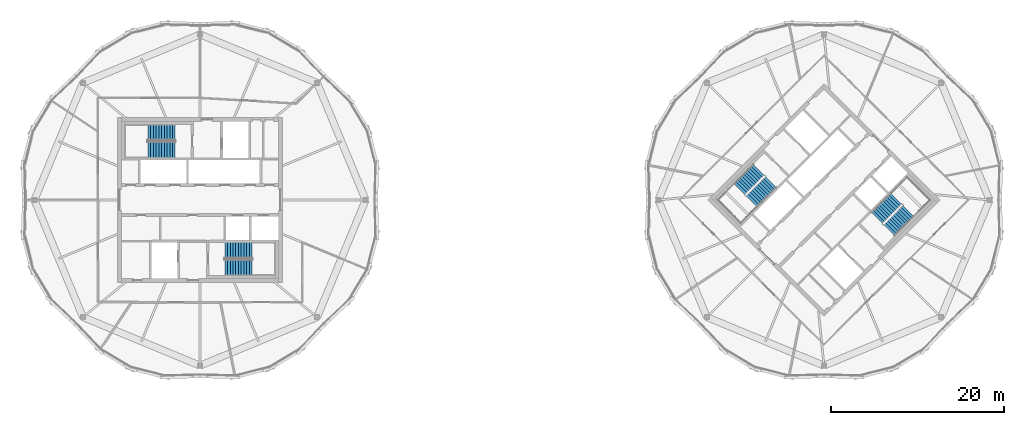
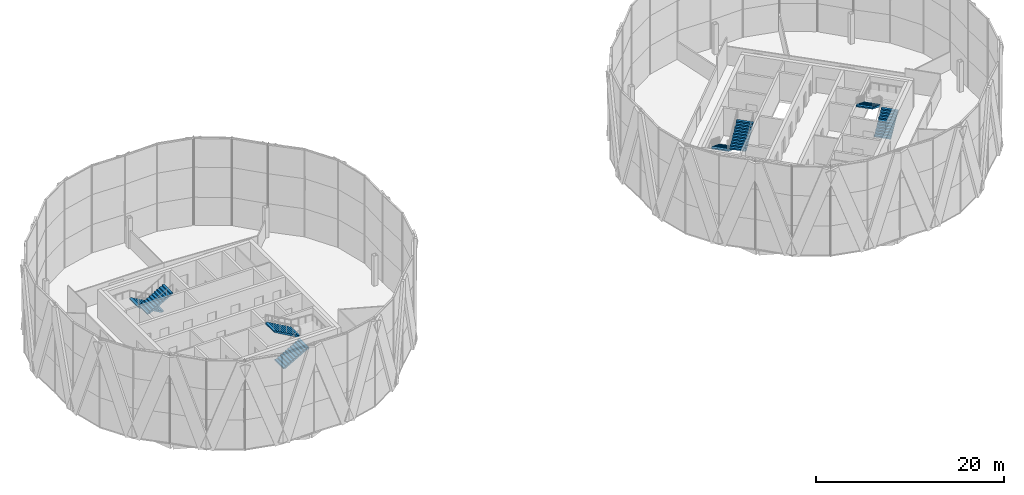
# One storey, part 20 of 22: 8 stair flights, 4 elements without a shape of their own.
"""IFC4 building model written with IfcOpenShell, lengths in metres."""

from ifc_helpers import new_model, si_unit, direction, frame, origin, place, context, subcontext, project, spatial, polyline, outline, extrude, material, type_object, element, aggregate, save


model = new_model("IFC4")

# Units and contexts
model_context = context("Model", 3, precision=1e-05, world=origin(), true_north=direction((0.0, 1.0)))
body_context = subcontext(model_context, "Body", "Model", "MODEL_VIEW")
ifc_project = project(units=[si_unit("LENGTHUNIT", "METRE"), si_unit("AREAUNIT", "SQUARE_METRE"), si_unit("VOLUMEUNIT", "CUBIC_METRE"), si_unit("PLANEANGLEUNIT", "RADIAN"), si_unit("MASSUNIT", "GRAM", prefix="KILO")], contexts=[model_context])

# Site, building, storey
site_placement = place(None, origin())
site = spatial("IfcSite", under=ifc_project, at=site_placement, CompositionType="ELEMENT")
building_placement = place(site_placement, origin())
building = spatial("IfcBuilding", under=site, at=building_placement, Name="Ogive Gate Towers", CompositionType="ELEMENT")
storey_placement = place(building_placement, frame((0.0, 0.0, 228.89990234375)))
storey = spatial("IfcBuildingStorey", under=building, at=storey_placement, Name="L54", CompositionType="ELEMENT", Elevation=228.89990234375)

# Stair, stair flights
ifc_material = material(Name="Concrete C40/50", Category="concrete")
stair_type = type_object("IfcStairType", Name="Escape stair 1840 wide", PredefinedType="HALF_TURN_STAIR", material=ifc_material)
stair_1_placement = place(storey_placement, origin())
stair_1 = element("IfcStair", 1, at=stair_1_placement, inside=storey, type_object=stair_type, Name="L54 Escape stair 1", PredefinedType="HALF_TURN_STAIR")
stair_flight_type = type_object("IfcStairFlightType", Name="Stair flight 1840 wide", PredefinedType="STRAIGHT", material=ifc_material)
stair_flight_1_placement = place(storey_placement, frame((-38.864990234375, 7.780029296875, 0.0), z_axis=(0.0, 0.0, 1.0), x_axis=(-1.0, 0.0, 0.0)))
stair_flight_1 = element("IfcStairFlight", 2, at=stair_flight_1_placement, type_object=stair_flight_type, Name="ST1 flight 1", NumberOfRisers=11, NumberOfTreads=10, PredefinedType="STRAIGHT", RiserHeight=0.177272727, TreadLength=0.313636364, context=body_context, shape_type="SweptSolid", body=[
    extrude(outline(polyline([(0.0, 0.0), (0.0, 0.17724609375), (0.313720703125, 0.17724609375), (0.313720703125, 0.3544921875), (0.627197265625, 0.3544921875), (0.627197265625, 0.53173828125), (0.94091796875, 0.53173828125), (0.94091796875, 0.708984375), (1.254638671875, 0.708984375), (1.254638671875, 0.886474609375), (1.568115234375, 0.886474609375), (1.568115234375, 1.063720703125), (1.8818359375, 1.063720703125), (1.8818359375, 1.240966796875), (2.195556640625, 1.240966796875), (2.195556640625, 1.418212890625), (2.509033203125, 1.418212890625), (2.509033203125, 1.595458984375), (2.82275390625, 1.595458984375), (2.82275390625, 1.772705078125), (3.136474609375, 1.772705078125), (3.136474609375, 1.949951171875), (3.136474609375, 1.6005859375), (0.3046875, 0.0), (0.0, 0.0)])), frame((0.0, 0.919921875, 0.0), z_axis=(0.0, -1.0, 0.0), x_axis=(1.0, 0.0, 0.0)), (0.0, 0.0, 1.0), 1.840087890625),
])
stair_flight_2_placement = place(storey_placement, frame((-42.00146484375, 5.794921875, 1.9501953125), z_axis=(0.0, 0.0, 1.0), x_axis=(1.0, 0.0, 0.0)))
stair_flight_2 = element("IfcStairFlight", 3, at=stair_flight_2_placement, type_object=stair_flight_type, Name="ST1 flight 2", NumberOfRisers=11, NumberOfTreads=10, PredefinedType="STRAIGHT", RiserHeight=0.177272727, TreadLength=0.313636364, context=body_context, shape_type="SweptSolid", body=[
    extrude(outline(polyline([(0.0, 0.0), (0.0, 0.17724609375), (0.313720703125, 0.17724609375), (0.313720703125, 0.3544921875), (0.627197265625, 0.3544921875), (0.627197265625, 0.53173828125), (0.94091796875, 0.53173828125), (0.94091796875, 0.708984375), (1.254638671875, 0.708984375), (1.254638671875, 0.886474609375), (1.568115234375, 0.886474609375), (1.568115234375, 1.063720703125), (1.8818359375, 1.063720703125), (1.8818359375, 1.240966796875), (2.195556640625, 1.240966796875), (2.195556640625, 1.418212890625), (2.509033203125, 1.418212890625), (2.509033203125, 1.595458984375), (2.82275390625, 1.595458984375), (2.82275390625, 1.772705078125), (3.136474609375, 1.772705078125), (3.136474609375, 1.949951171875), (3.136474609375, 1.6005859375), (0.3046875, 0.0), (0.0, 0.0)])), frame((0.0, 0.919921875, 0.0), z_axis=(0.0, -1.0, 0.0), x_axis=(1.0, 0.0, 0.0)), (0.0, 0.0, 1.0), 1.840087890625),
])
aggregate(stair_1, [stair_flight_1, stair_flight_2])

stair_2_placement = place(storey_placement, origin())
stair_2 = element("IfcStair", 4, at=stair_2_placement, inside=storey, type_object=stair_type, Name="L54 Escape stair 2", PredefinedType="HALF_TURN_STAIR")
stair_flight_3_placement = place(storey_placement, frame((-33.135009765625, -7.780029296875, 0.0), z_axis=(0.0, 0.0, 1.0), x_axis=(1.0, 0.0, 0.0)))
stair_flight_3 = element("IfcStairFlight", 5, at=stair_flight_3_placement, type_object=stair_flight_type, Name="ST2 flight 1", NumberOfRisers=11, NumberOfTreads=10, PredefinedType="STRAIGHT", RiserHeight=0.177272727, TreadLength=0.313636364, context=body_context, shape_type="SweptSolid", body=[
    extrude(outline(polyline([(0.0, 0.0), (0.0, 0.17724609375), (0.313720703125, 0.17724609375), (0.313720703125, 0.3544921875), (0.627197265625, 0.3544921875), (0.627197265625, 0.53173828125), (0.94091796875, 0.53173828125), (0.94091796875, 0.708984375), (1.254638671875, 0.708984375), (1.254638671875, 0.886474609375), (1.568115234375, 0.886474609375), (1.568115234375, 1.063720703125), (1.8818359375, 1.063720703125), (1.8818359375, 1.240966796875), (2.195556640625, 1.240966796875), (2.195556640625, 1.418212890625), (2.509033203125, 1.418212890625), (2.509033203125, 1.595458984375), (2.82275390625, 1.595458984375), (2.82275390625, 1.772705078125), (3.136474609375, 1.772705078125), (3.136474609375, 1.949951171875), (3.136474609375, 1.6005859375), (0.3046875, 0.0), (0.0, 0.0)])), frame((0.0, 0.919921875, 0.0), z_axis=(0.0, -1.0, 0.0), x_axis=(1.0, 0.0, 0.0)), (0.0, 0.0, 1.0), 1.840087890625),
])
stair_flight_4_placement = place(storey_placement, frame((-29.99853515625, -5.794921875, 1.9501953125), z_axis=(0.0, 0.0, 1.0), x_axis=(-1.0, 0.0, 0.0)))
stair_flight_4 = element("IfcStairFlight", 6, at=stair_flight_4_placement, type_object=stair_flight_type, Name="ST2 flight 2", NumberOfRisers=11, NumberOfTreads=10, PredefinedType="STRAIGHT", RiserHeight=0.177272727, TreadLength=0.313636364, context=body_context, shape_type="SweptSolid", body=[
    extrude(outline(polyline([(0.0, 0.0), (0.0, 0.17724609375), (0.313720703125, 0.17724609375), (0.313720703125, 0.3544921875), (0.627197265625, 0.3544921875), (0.627197265625, 0.53173828125), (0.94091796875, 0.53173828125), (0.94091796875, 0.708984375), (1.254638671875, 0.708984375), (1.254638671875, 0.886474609375), (1.568115234375, 0.886474609375), (1.568115234375, 1.063720703125), (1.8818359375, 1.063720703125), (1.8818359375, 1.240966796875), (2.195556640625, 1.240966796875), (2.195556640625, 1.418212890625), (2.509033203125, 1.418212890625), (2.509033203125, 1.595458984375), (2.82275390625, 1.595458984375), (2.82275390625, 1.772705078125), (3.136474609375, 1.772705078125), (3.136474609375, 1.949951171875), (3.136474609375, 1.6005859375), (0.3046875, 0.0), (0.0, 0.0)])), frame((0.0, 0.919921875, 0.0), z_axis=(0.0, -1.0, 0.0), x_axis=(1.0, 0.0, 0.0)), (0.0, 0.0, 1.0), 1.840087890625),
])
aggregate(stair_2, [stair_flight_3, stair_flight_4])

stair_3_placement = place(storey_placement, origin())
stair_3 = element("IfcStair", 7, at=stair_3_placement, inside=storey, type_object=stair_type, Name="L54 Escape stair 1", PredefinedType="HALF_TURN_STAIR")
stair_flight_5_placement = place(storey_placement, frame((28.472900390625, 3.475341796875, 0.0), z_axis=(0.0, 0.0, 1.0), x_axis=(-0.707106781187, -0.707106781187, 0.0)))
stair_flight_5 = element("IfcStairFlight", 8, at=stair_flight_5_placement, type_object=stair_flight_type, Name="ST1 flight 1", NumberOfRisers=11, NumberOfTreads=10, PredefinedType="STRAIGHT", RiserHeight=0.177272727, TreadLength=0.313636364, context=body_context, shape_type="SweptSolid", body=[
    extrude(outline(polyline([(0.0, 0.0), (0.0, 0.17724609375), (0.313720703125, 0.17724609375), (0.313720703125, 0.3544921875), (0.627197265625, 0.3544921875), (0.627197265625, 0.53173828125), (0.94091796875, 0.53173828125), (0.94091796875, 0.708984375), (1.254638671875, 0.708984375), (1.254638671875, 0.886474609375), (1.568115234375, 0.886474609375), (1.568115234375, 1.063720703125), (1.8818359375, 1.063720703125), (1.8818359375, 1.240966796875), (2.195556640625, 1.240966796875), (2.195556640625, 1.418212890625), (2.509033203125, 1.418212890625), (2.509033203125, 1.595458984375), (2.82275390625, 1.595458984375), (2.82275390625, 1.772705078125), (3.136474609375, 1.772705078125), (3.136474609375, 1.949951171875), (3.136474609375, 1.6005859375), (0.3046875, 0.0), (0.0, 0.0)])), frame((0.0, 0.919921875, 0.0), z_axis=(0.0, -1.0, 0.0), x_axis=(1.0, 0.0, 0.0)), (0.0, 0.0, 1.0), 1.840087890625),
])
stair_flight_6_placement = place(storey_placement, frame((27.65869140625, -0.14599609375, 1.9501953125), z_axis=(0.0, 0.0, 1.0), x_axis=(0.707106781187, 0.707106781187, 0.0)))
stair_flight_6 = element("IfcStairFlight", 9, at=stair_flight_6_placement, type_object=stair_flight_type, Name="ST1 flight 2", NumberOfRisers=11, NumberOfTreads=10, PredefinedType="STRAIGHT", RiserHeight=0.177272727, TreadLength=0.313636364, context=body_context, shape_type="SweptSolid", body=[
    extrude(outline(polyline([(0.0, 0.0), (0.0, 0.17724609375), (0.313720703125, 0.17724609375), (0.313720703125, 0.3544921875), (0.627197265625, 0.3544921875), (0.627197265625, 0.53173828125), (0.94091796875, 0.53173828125), (0.94091796875, 0.708984375), (1.254638671875, 0.708984375), (1.254638671875, 0.886474609375), (1.568115234375, 0.886474609375), (1.568115234375, 1.063720703125), (1.8818359375, 1.063720703125), (1.8818359375, 1.240966796875), (2.195556640625, 1.240966796875), (2.195556640625, 1.418212890625), (2.509033203125, 1.418212890625), (2.509033203125, 1.595458984375), (2.82275390625, 1.595458984375), (2.82275390625, 1.772705078125), (3.136474609375, 1.772705078125), (3.136474609375, 1.949951171875), (3.136474609375, 1.6005859375), (0.3046875, 0.0), (0.0, 0.0)])), frame((0.0, 0.919921875, 0.0), z_axis=(0.0, -1.0, 0.0), x_axis=(1.0, 0.0, 0.0)), (0.0, 0.0, 1.0), 1.840087890625),
])
aggregate(stair_3, [stair_flight_5, stair_flight_6])

stair_4_placement = place(storey_placement, origin())
stair_4 = element("IfcStair", 10, at=stair_4_placement, inside=storey, type_object=stair_type, Name="L54 Escape stair 2", PredefinedType="HALF_TURN_STAIR")
stair_flight_7_placement = place(storey_placement, frame((43.527099609375, -3.475341796875, 0.0), z_axis=(0.0, 0.0, 1.0), x_axis=(0.707106781187, 0.707106781187, 0.0)))
stair_flight_7 = element("IfcStairFlight", 11, at=stair_flight_7_placement, type_object=stair_flight_type, Name="ST2 flight 1", NumberOfRisers=11, NumberOfTreads=10, PredefinedType="STRAIGHT", RiserHeight=0.177272727, TreadLength=0.313636364, context=body_context, shape_type="SweptSolid", body=[
    extrude(outline(polyline([(0.0, 0.0), (0.0, 0.17724609375), (0.313720703125, 0.17724609375), (0.313720703125, 0.3544921875), (0.627197265625, 0.3544921875), (0.627197265625, 0.53173828125), (0.94091796875, 0.53173828125), (0.94091796875, 0.708984375), (1.254638671875, 0.708984375), (1.254638671875, 0.886474609375), (1.568115234375, 0.886474609375), (1.568115234375, 1.063720703125), (1.8818359375, 1.063720703125), (1.8818359375, 1.240966796875), (2.195556640625, 1.240966796875), (2.195556640625, 1.418212890625), (2.509033203125, 1.418212890625), (2.509033203125, 1.595458984375), (2.82275390625, 1.595458984375), (2.82275390625, 1.772705078125), (3.136474609375, 1.772705078125), (3.136474609375, 1.949951171875), (3.136474609375, 1.6005859375), (0.3046875, 0.0), (0.0, 0.0)])), frame((0.0, 0.919921875, 0.0), z_axis=(0.0, -1.0, 0.0), x_axis=(1.0, 0.0, 0.0)), (0.0, 0.0, 1.0), 1.840087890625),
])
stair_flight_8_placement = place(storey_placement, frame((44.34130859375, 0.14599609375, 1.9501953125), z_axis=(0.0, 0.0, 1.0), x_axis=(-0.707106781187, -0.707106781187, 0.0)))
stair_flight_8 = element("IfcStairFlight", 12, at=stair_flight_8_placement, type_object=stair_flight_type, Name="ST2 flight 2", NumberOfRisers=11, NumberOfTreads=10, PredefinedType="STRAIGHT", RiserHeight=0.177272727, TreadLength=0.313636364, context=body_context, shape_type="SweptSolid", body=[
    extrude(outline(polyline([(0.0, 0.0), (0.0, 0.17724609375), (0.313720703125, 0.17724609375), (0.313720703125, 0.3544921875), (0.627197265625, 0.3544921875), (0.627197265625, 0.53173828125), (0.94091796875, 0.53173828125), (0.94091796875, 0.708984375), (1.254638671875, 0.708984375), (1.254638671875, 0.886474609375), (1.568115234375, 0.886474609375), (1.568115234375, 1.063720703125), (1.8818359375, 1.063720703125), (1.8818359375, 1.240966796875), (2.195556640625, 1.240966796875), (2.195556640625, 1.418212890625), (2.509033203125, 1.418212890625), (2.509033203125, 1.595458984375), (2.82275390625, 1.595458984375), (2.82275390625, 1.772705078125), (3.136474609375, 1.772705078125), (3.136474609375, 1.949951171875), (3.136474609375, 1.6005859375), (0.3046875, 0.0), (0.0, 0.0)])), frame((0.0, 0.919921875, 0.0), z_axis=(0.0, -1.0, 0.0), x_axis=(1.0, 0.0, 0.0)), (0.0, 0.0, 1.0), 1.840087890625),
])
aggregate(stair_4, [stair_flight_7, stair_flight_8])

save(model, "model.ifc")
